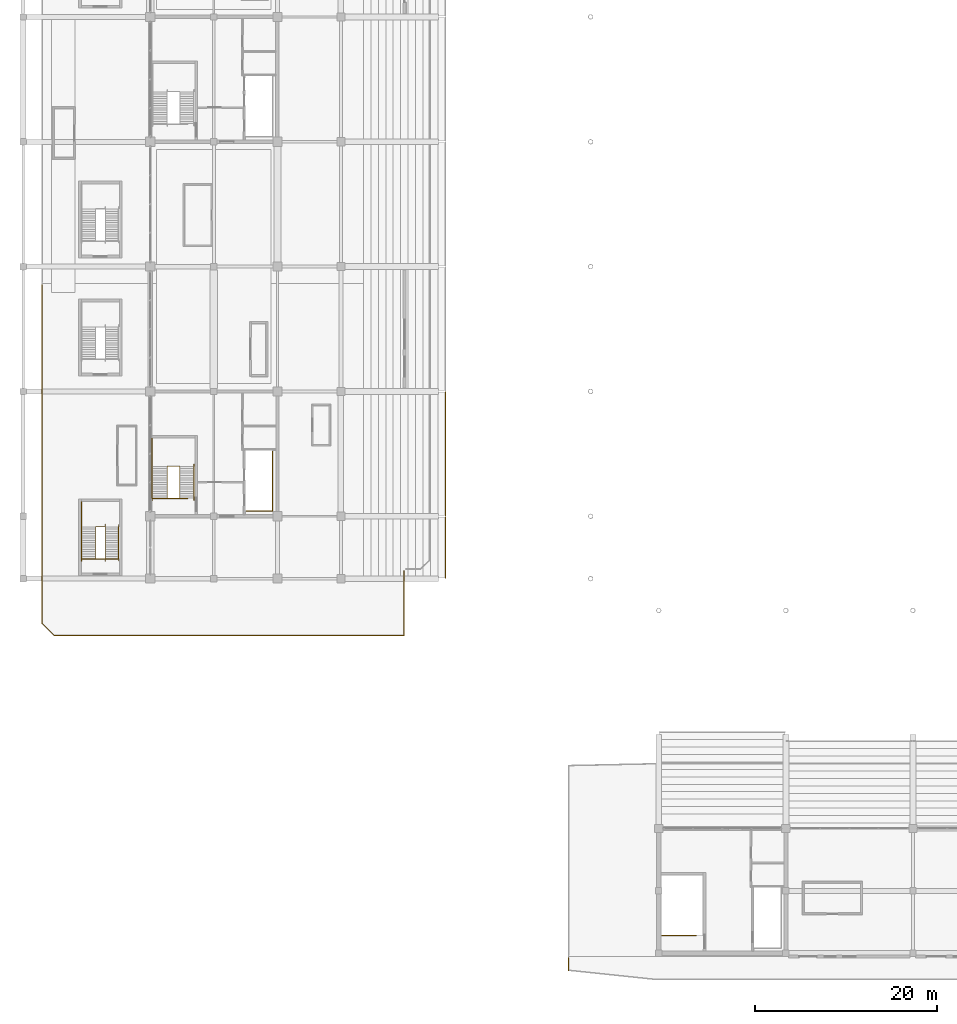
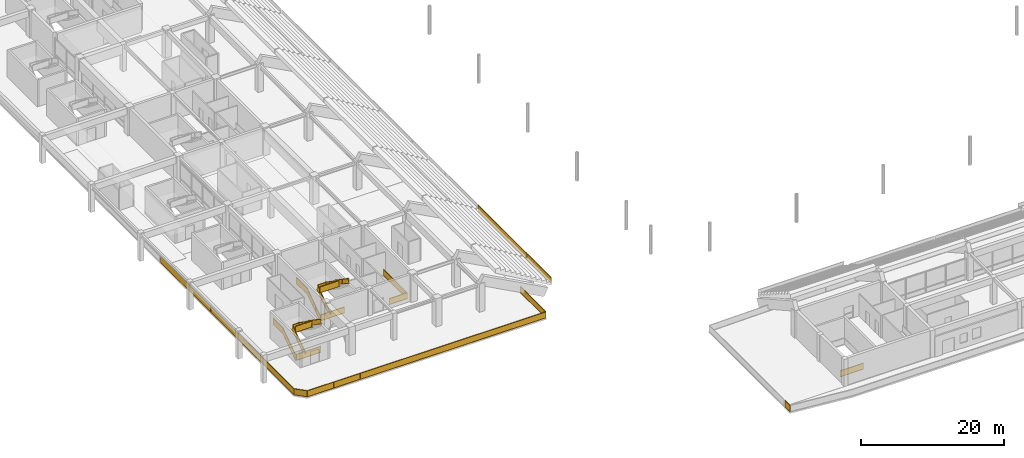
# One storey, part 81 of 94: 15 railings.
"""IFC4 building model written with IfcOpenShell, lengths in metres."""

from ifc_helpers import new_model, si_unit, direction, frame, origin, origin_2d, place, context, subcontext, project, spatial, rectangle, extrude, material, type_object, element, save


model = new_model("IFC4")

# Units and contexts
model_context = context("Model", 3, precision=1e-05, world=origin(), true_north=direction((0.0, 1.0)))
body_context = subcontext(model_context, "Body", "Model", "MODEL_VIEW")
ifc_project = project(units=[si_unit("LENGTHUNIT", "METRE"), si_unit("AREAUNIT", "SQUARE_METRE"), si_unit("VOLUMEUNIT", "CUBIC_METRE"), si_unit("PLANEANGLEUNIT", "RADIAN"), si_unit("MASSUNIT", "GRAM", prefix="KILO")], contexts=[model_context])

# Site, building, storey
site_placement = place(None, origin())
site = spatial("IfcSite", under=ifc_project, at=site_placement, CompositionType="ELEMENT")
building_placement = place(site_placement, origin())
building = spatial("IfcBuilding", under=site, at=building_placement, Name="Linyun Crest Stadium", CompositionType="ELEMENT")
storey_placement = place(building_placement, frame((0.0, 0.0, 16.199951171875)))
storey = spatial("IfcBuildingStorey", under=building, at=storey_placement, Name="L04", CompositionType="ELEMENT", Elevation=16.199951171875)

# Railings
ifc_material_1 = material(Name="Verdigris painted steel botanical balustrade", Category="steel")
railing_type_1 = type_object("IfcRailingType", Name="GR01", PredefinedType="BALUSTRADE", material=ifc_material_1)
railing_1_placement = place(storey_placement, frame((-37.93994140625, -89.14599609375, 0.0)))
element("IfcRailing", 1, at=railing_1_placement, inside=storey, type_object=railing_type_1, Name="Slab edge balustrade GR01 275", PredefinedType="BALUSTRADE", context=body_context, shape_type="SweptSolid", body=[
    extrude(rectangle(XDim=0.06005859375, YDim=0.06005859375, at=origin_2d()), frame((0.0, 0.0, 1.119873046875), z_axis=(0.0, 1.0, 0.0), x_axis=(-1.0, 0.0, 0.0)), (0.0, 0.0, 1.0), 1.365966796875),
    extrude(rectangle(XDim=0.030029296875, YDim=1.02978515625, at=origin_2d()), frame((0.0, 0.0, 0.574951171875), z_axis=(0.0, 1.0, 0.0), x_axis=(-1.0, 0.0, 0.0)), (0.0, 0.0, 1.0), 1.365966796875),
    extrude(rectangle(XDim=0.06005859375, YDim=0.06005859375, at=origin_2d()), frame((0.0, 0.0, 0.030029296875), z_axis=(0.0, 1.0, 0.0), x_axis=(-1.0, 0.0, 0.0)), (0.0, 0.0, 1.0), 1.365966796875),
    extrude(rectangle(XDim=0.050048828125, YDim=0.050048828125, at=origin_2d()), origin(), (0.0, 0.0, 1.0), 1.14990234375),
    extrude(rectangle(XDim=0.050048828125, YDim=0.050048828125, at=origin_2d()), frame((0.0, 1.365966796875, 0.0)), (0.0, 0.0, 1.0), 1.14990234375),
])
ifc_material_2 = material(Name="Galvanized and powder-coated steel bowl safety barrier", Category="steel")
railing_type_2 = type_object("IfcRailingType", Name="GR02", PredefinedType="GUARDRAIL", material=ifc_material_2)
railing_2_placement = place(storey_placement, frame((-51.5, -45.919921875, 0.35009765625)))
element("IfcRailing", 2, at=railing_2_placement, inside=storey, type_object=railing_type_2, Name="Bowl front safety guard GR02 3", PredefinedType="GUARDRAIL", context=body_context, shape_type="SweptSolid", body=[
    extrude(rectangle(XDim=0.06005859375, YDim=0.06005859375, at=origin_2d()), frame((0.0, 0.0, 1.090087890625), z_axis=(0.0, 1.0, 0.0), x_axis=(-1.0, 0.0, 0.0)), (0.0, 0.0, 1.0), 6.71484375),
    extrude(rectangle(XDim=0.030029296875, YDim=1.0, at=origin_2d()), frame((0.0, 0.0, 0.56005859375), z_axis=(0.0, 1.0, 0.0), x_axis=(-1.0, 0.0, 0.0)), (0.0, 0.0, 1.0), 6.71484375),
    extrude(rectangle(XDim=0.06005859375, YDim=0.06005859375, at=origin_2d()), frame((0.0, 0.0, 0.030029296875), z_axis=(0.0, 1.0, 0.0), x_axis=(-1.0, 0.0, 0.0)), (0.0, 0.0, 1.0), 6.71484375),
    extrude(rectangle(XDim=0.050048828125, YDim=0.050048828125, at=origin_2d()), origin(), (0.0, 0.0, 1.0), 1.1201171875),
    extrude(rectangle(XDim=0.050048828125, YDim=0.050048828125, at=origin_2d()), frame((0.0, 2.23828125, 0.0)), (0.0, 0.0, 1.0), 1.1201171875),
    extrude(rectangle(XDim=0.050048828125, YDim=0.050048828125, at=origin_2d()), frame((0.0, 4.4765625, 0.0)), (0.0, 0.0, 1.0), 1.1201171875),
    extrude(rectangle(XDim=0.050048828125, YDim=0.050048828125, at=origin_2d()), frame((0.0, 6.71484375, 0.0)), (0.0, 0.0, 1.0), 1.1201171875),
])
railing_3_placement = place(storey_placement, frame((-51.5, -39.044921875, 0.35009765625)))
element("IfcRailing", 3, at=railing_3_placement, inside=storey, type_object=railing_type_2, Name="Bowl front safety guard GR02 11", PredefinedType="GUARDRAIL", context=body_context, shape_type="SweptSolid", body=[
    extrude(rectangle(XDim=0.06005859375, YDim=0.06005859375, at=origin_2d()), frame((0.0, 0.0, 1.090087890625), z_axis=(0.0, 1.0, 0.0), x_axis=(-1.0, 0.0, 0.0)), (0.0, 0.0, 1.0), 13.58984375),
    extrude(rectangle(XDim=0.030029296875, YDim=1.0, at=origin_2d()), frame((0.0, 0.0, 0.56005859375), z_axis=(0.0, 1.0, 0.0), x_axis=(-1.0, 0.0, 0.0)), (0.0, 0.0, 1.0), 13.58984375),
    extrude(rectangle(XDim=0.06005859375, YDim=0.06005859375, at=origin_2d()), frame((0.0, 0.0, 0.030029296875), z_axis=(0.0, 1.0, 0.0), x_axis=(-1.0, 0.0, 0.0)), (0.0, 0.0, 1.0), 13.58984375),
    extrude(rectangle(XDim=0.050048828125, YDim=0.050048828125, at=origin_2d()), origin(), (0.0, 0.0, 1.0), 1.1201171875),
    extrude(rectangle(XDim=0.050048828125, YDim=0.050048828125, at=origin_2d()), frame((0.0, 2.264892578125, 0.0)), (0.0, 0.0, 1.0), 1.1201171875),
    extrude(rectangle(XDim=0.050048828125, YDim=0.050048828125, at=origin_2d()), frame((0.0, 4.530029296875, 0.0)), (0.0, 0.0, 1.0), 1.1201171875),
    extrude(rectangle(XDim=0.050048828125, YDim=0.050048828125, at=origin_2d()), frame((0.0, 6.794921875, 0.0)), (0.0, 0.0, 1.0), 1.1201171875),
    extrude(rectangle(XDim=0.050048828125, YDim=0.050048828125, at=origin_2d()), frame((0.0, 9.059814453125, 0.0)), (0.0, 0.0, 1.0), 1.1201171875),
    extrude(rectangle(XDim=0.050048828125, YDim=0.050048828125, at=origin_2d()), frame((0.0, 11.324951171875, 0.0)), (0.0, 0.0, 1.0), 1.1201171875),
    extrude(rectangle(XDim=0.050048828125, YDim=0.050048828125, at=origin_2d()), frame((0.0, 13.58984375, 0.0)), (0.0, 0.0, 1.0), 1.1201171875),
])
railing_4_placement = place(storey_placement, frame((-94.574951171875, -52.27490234375, 0.0)))
element("IfcRailing", 4, at=railing_4_placement, inside=storey, type_object=railing_type_2, Name="Slab edge balustrade GR02 52", PredefinedType="GUARDRAIL", context=body_context, shape_type="SweptSolid", body=[
    extrude(rectangle(XDim=0.06005859375, YDim=0.06005859375, at=origin_2d()), frame((0.0, 0.0, 1.090087890625), z_axis=(-0.707106781187, 0.707106781187, 0.0), x_axis=(-0.707106781187, -0.707106781187, 0.0)), (0.0, 0.0, 1.0), 1.930419921875),
    extrude(rectangle(XDim=0.030029296875, YDim=1.0, at=origin_2d()), frame((0.0, 0.0, 0.56005859375), z_axis=(-0.707106781187, 0.707106781187, 0.0), x_axis=(-0.707106781187, -0.707106781187, 0.0)), (0.0, 0.0, 1.0), 1.930419921875),
    extrude(rectangle(XDim=0.06005859375, YDim=0.06005859375, at=origin_2d()), frame((0.0, 0.0, 0.030029296875), z_axis=(-0.707106781187, 0.707106781187, 0.0), x_axis=(-0.707106781187, -0.707106781187, 0.0)), (0.0, 0.0, 1.0), 1.930419921875),
    extrude(rectangle(XDim=0.06005859375, YDim=0.06005859375, at=origin_2d()), frame((-1.364990234375, 1.364990234375, 1.090087890625), z_axis=(0.0, 1.0, 0.0), x_axis=(-1.0, 0.0, 0.0)), (0.0, 0.0, 1.0), 37.239990234375),
    extrude(rectangle(XDim=0.030029296875, YDim=1.0, at=origin_2d()), frame((-1.364990234375, 1.364990234375, 0.56005859375), z_axis=(0.0, 1.0, 0.0), x_axis=(-1.0, 0.0, 0.0)), (0.0, 0.0, 1.0), 37.239990234375),
    extrude(rectangle(XDim=0.06005859375, YDim=0.06005859375, at=origin_2d()), frame((-1.364990234375, 1.364990234375, 0.030029296875), z_axis=(0.0, 1.0, 0.0), x_axis=(-1.0, 0.0, 0.0)), (0.0, 0.0, 1.0), 37.239990234375),
    extrude(rectangle(XDim=0.050048828125, YDim=0.050048828125, at=origin_2d()), origin(), (0.0, 0.0, 1.0), 1.1201171875),
    extrude(rectangle(XDim=0.050048828125, YDim=0.050048828125, at=origin_2d()), frame((-1.364990234375, 1.364990234375, 0.0)), (0.0, 0.0, 1.0), 1.1201171875),
    extrude(rectangle(XDim=0.050048828125, YDim=0.050048828125, at=origin_2d()), frame((-1.364990234375, 6.02001953125, 0.0)), (0.0, 0.0, 1.0), 1.1201171875),
    extrude(rectangle(XDim=0.050048828125, YDim=0.050048828125, at=origin_2d()), frame((-1.364990234375, 10.675048828125, 0.0)), (0.0, 0.0, 1.0), 1.1201171875),
    extrude(rectangle(XDim=0.050048828125, YDim=0.050048828125, at=origin_2d()), frame((-1.364990234375, 15.330078125, 0.0)), (0.0, 0.0, 1.0), 1.1201171875),
    extrude(rectangle(XDim=0.050048828125, YDim=0.050048828125, at=origin_2d()), frame((-1.364990234375, 19.98486328125, 0.0)), (0.0, 0.0, 1.0), 1.1201171875),
    extrude(rectangle(XDim=0.050048828125, YDim=0.050048828125, at=origin_2d()), frame((-1.364990234375, 24.639892578125, 0.0)), (0.0, 0.0, 1.0), 1.1201171875),
    extrude(rectangle(XDim=0.050048828125, YDim=0.050048828125, at=origin_2d()), frame((-1.364990234375, 29.294921875, 0.0)), (0.0, 0.0, 1.0), 1.1201171875),
    extrude(rectangle(XDim=0.050048828125, YDim=0.050048828125, at=origin_2d()), frame((-1.364990234375, 33.949951171875, 0.0)), (0.0, 0.0, 1.0), 1.1201171875),
    extrude(rectangle(XDim=0.050048828125, YDim=0.050048828125, at=origin_2d()), frame((-1.364990234375, 38.60498046875, 0.0)), (0.0, 0.0, 1.0), 1.1201171875),
])
railing_5_placement = place(storey_placement, frame((-56.06005859375, -45.160888671875, 0.0)))
element("IfcRailing", 5, at=railing_5_placement, inside=storey, type_object=railing_type_2, Name="Slab edge balustrade GR02 53", PredefinedType="GUARDRAIL", context=body_context, shape_type="SweptSolid", body=[
    extrude(rectangle(XDim=0.06005859375, YDim=0.06005859375, at=origin_2d()), frame((0.0, 0.0, 1.090087890625), z_axis=(0.0, -1.0, 0.0), x_axis=(1.0, 0.0, 0.0)), (0.0, 0.0, 1.0), 7.114013671875),
    extrude(rectangle(XDim=0.030029296875, YDim=1.0, at=origin_2d()), frame((0.0, 0.0, 0.56005859375), z_axis=(0.0, -1.0, 0.0), x_axis=(1.0, 0.0, 0.0)), (0.0, 0.0, 1.0), 7.114013671875),
    extrude(rectangle(XDim=0.06005859375, YDim=0.06005859375, at=origin_2d()), frame((0.0, 0.0, 0.030029296875), z_axis=(0.0, -1.0, 0.0), x_axis=(1.0, 0.0, 0.0)), (0.0, 0.0, 1.0), 7.114013671875),
    extrude(rectangle(XDim=0.06005859375, YDim=0.06005859375, at=origin_2d()), frame((0.0, -7.114013671875, 1.090087890625), z_axis=(-1.0, 0.0, 0.0), x_axis=(0.0, -1.0, 0.0)), (0.0, 0.0, 1.0), 38.514892578125),
    extrude(rectangle(XDim=0.030029296875, YDim=1.0, at=origin_2d()), frame((0.0, -7.114013671875, 0.56005859375), z_axis=(-1.0, 0.0, 0.0), x_axis=(0.0, -1.0, 0.0)), (0.0, 0.0, 1.0), 38.514892578125),
    extrude(rectangle(XDim=0.06005859375, YDim=0.06005859375, at=origin_2d()), frame((0.0, -7.114013671875, 0.030029296875), z_axis=(-1.0, 0.0, 0.0), x_axis=(0.0, -1.0, 0.0)), (0.0, 0.0, 1.0), 38.514892578125),
    extrude(rectangle(XDim=0.050048828125, YDim=0.050048828125, at=origin_2d()), origin(), (0.0, 0.0, 1.0), 1.1201171875),
    extrude(rectangle(XDim=0.050048828125, YDim=0.050048828125, at=origin_2d()), frame((0.0, -3.55712890625, 0.0)), (0.0, 0.0, 1.0), 1.1201171875),
    extrude(rectangle(XDim=0.050048828125, YDim=0.050048828125, at=origin_2d()), frame((0.0, -7.114013671875, 0.0)), (0.0, 0.0, 1.0), 1.1201171875),
    extrude(rectangle(XDim=0.050048828125, YDim=0.050048828125, at=origin_2d()), frame((-4.279541015625, -7.114013671875, 0.0)), (0.0, 0.0, 1.0), 1.1201171875),
    extrude(rectangle(XDim=0.050048828125, YDim=0.050048828125, at=origin_2d()), frame((-8.558837890625, -7.114013671875, 0.0)), (0.0, 0.0, 1.0), 1.1201171875),
    extrude(rectangle(XDim=0.050048828125, YDim=0.050048828125, at=origin_2d()), frame((-12.83837890625, -7.114013671875, 0.0)), (0.0, 0.0, 1.0), 1.1201171875),
    extrude(rectangle(XDim=0.050048828125, YDim=0.050048828125, at=origin_2d()), frame((-17.11767578125, -7.114013671875, 0.0)), (0.0, 0.0, 1.0), 1.1201171875),
    extrude(rectangle(XDim=0.050048828125, YDim=0.050048828125, at=origin_2d()), frame((-21.397216796875, -7.114013671875, 0.0)), (0.0, 0.0, 1.0), 1.1201171875),
    extrude(rectangle(XDim=0.050048828125, YDim=0.050048828125, at=origin_2d()), frame((-25.676513671875, -7.114013671875, 0.0)), (0.0, 0.0, 1.0), 1.1201171875),
    extrude(rectangle(XDim=0.050048828125, YDim=0.050048828125, at=origin_2d()), frame((-29.9560546875, -7.114013671875, 0.0)), (0.0, 0.0, 1.0), 1.1201171875),
    extrude(rectangle(XDim=0.050048828125, YDim=0.050048828125, at=origin_2d()), frame((-34.2353515625, -7.114013671875, 0.0)), (0.0, 0.0, 1.0), 1.1201171875),
    extrude(rectangle(XDim=0.050048828125, YDim=0.050048828125, at=origin_2d()), frame((-38.514892578125, -7.114013671875, 0.0)), (0.0, 0.0, 1.0), 1.1201171875),
])
railing_6_placement = place(storey_placement, frame((-73.419921875, -38.534912109375, 0.0)))
element("IfcRailing", 6, at=railing_6_placement, inside=storey, type_object=railing_type_2, Name="Slab edge balustrade GR02 54", PredefinedType="GUARDRAIL", context=body_context, shape_type="SweptSolid", body=[
    extrude(rectangle(XDim=0.06005859375, YDim=0.06005859375, at=origin_2d()), frame((0.0, 0.0, 1.090087890625), z_axis=(1.0, 0.0, 0.0), x_axis=(0.0, 1.0, 0.0)), (0.0, 0.0, 1.0), 2.8798828125),
    extrude(rectangle(XDim=0.030029296875, YDim=1.0, at=origin_2d()), frame((0.0, 0.0, 0.56005859375), z_axis=(1.0, 0.0, 0.0), x_axis=(0.0, 1.0, 0.0)), (0.0, 0.0, 1.0), 2.8798828125),
    extrude(rectangle(XDim=0.06005859375, YDim=0.06005859375, at=origin_2d()), frame((0.0, 0.0, 0.030029296875), z_axis=(1.0, 0.0, 0.0), x_axis=(0.0, 1.0, 0.0)), (0.0, 0.0, 1.0), 2.8798828125),
    extrude(rectangle(XDim=0.06005859375, YDim=0.06005859375, at=origin_2d()), frame((2.8798828125, 0.0, 1.090087890625), z_axis=(0.0, 1.0, 0.0), x_axis=(-1.0, 0.0, 0.0)), (0.0, 0.0, 1.0), 6.5498046875),
    extrude(rectangle(XDim=0.030029296875, YDim=1.0, at=origin_2d()), frame((2.8798828125, 0.0, 0.56005859375), z_axis=(0.0, 1.0, 0.0), x_axis=(-1.0, 0.0, 0.0)), (0.0, 0.0, 1.0), 6.5498046875),
    extrude(rectangle(XDim=0.06005859375, YDim=0.06005859375, at=origin_2d()), frame((2.8798828125, 0.0, 0.030029296875), z_axis=(0.0, 1.0, 0.0), x_axis=(-1.0, 0.0, 0.0)), (0.0, 0.0, 1.0), 6.5498046875),
    extrude(rectangle(XDim=0.050048828125, YDim=0.050048828125, at=origin_2d()), origin(), (0.0, 0.0, 1.0), 1.1201171875),
    extrude(rectangle(XDim=0.050048828125, YDim=0.050048828125, at=origin_2d()), frame((2.8798828125, 0.0, 0.0)), (0.0, 0.0, 1.0), 1.1201171875),
    extrude(rectangle(XDim=0.050048828125, YDim=0.050048828125, at=origin_2d()), frame((2.8798828125, 3.27490234375, 0.0)), (0.0, 0.0, 1.0), 1.1201171875),
    extrude(rectangle(XDim=0.050048828125, YDim=0.050048828125, at=origin_2d()), frame((2.8798828125, 6.5498046875, 0.0)), (0.0, 0.0, 1.0), 1.1201171875),
])
railing_7_placement = place(storey_placement, frame((-83.68505859375, -37.1650390625, 0.0)))
element("IfcRailing", 7, at=railing_7_placement, inside=storey, type_object=railing_type_2, Name="Slab edge balustrade GR02 55", PredefinedType="GUARDRAIL", context=body_context, shape_type="SweptSolid", body=[
    extrude(rectangle(XDim=0.06005859375, YDim=0.06005859375, at=origin_2d()), frame((0.0, 0.0, 1.090087890625), z_axis=(1.0, 0.0, 0.0), x_axis=(0.0, 1.0, 0.0)), (0.0, 0.0, 1.0), 3.78515625),
    extrude(rectangle(XDim=0.030029296875, YDim=1.0, at=origin_2d()), frame((0.0, 0.0, 0.56005859375), z_axis=(1.0, 0.0, 0.0), x_axis=(0.0, 1.0, 0.0)), (0.0, 0.0, 1.0), 3.78515625),
    extrude(rectangle(XDim=0.06005859375, YDim=0.06005859375, at=origin_2d()), frame((0.0, 0.0, 0.030029296875), z_axis=(1.0, 0.0, 0.0), x_axis=(0.0, 1.0, 0.0)), (0.0, 0.0, 1.0), 3.78515625),
    extrude(rectangle(XDim=0.050048828125, YDim=0.050048828125, at=origin_2d()), origin(), (0.0, 0.0, 1.0), 1.1201171875),
    extrude(rectangle(XDim=0.050048828125, YDim=0.050048828125, at=origin_2d()), frame((3.78515625, 0.0, 0.0)), (0.0, 0.0, 1.0), 1.1201171875),
])
railing_8_placement = place(storey_placement, frame((-91.4599609375, -43.81005859375, 0.0)))
element("IfcRailing", 8, at=railing_8_placement, inside=storey, type_object=railing_type_2, Name="Slab edge balustrade GR02 56", PredefinedType="GUARDRAIL", context=body_context, shape_type="SweptSolid", body=[
    extrude(rectangle(XDim=0.06005859375, YDim=0.06005859375, at=origin_2d()), frame((0.0, 0.0, 1.090087890625), z_axis=(1.0, 0.0, 0.0), x_axis=(0.0, 1.0, 0.0)), (0.0, 0.0, 1.0), 3.919921875),
    extrude(rectangle(XDim=0.030029296875, YDim=1.0, at=origin_2d()), frame((0.0, 0.0, 0.56005859375), z_axis=(1.0, 0.0, 0.0), x_axis=(0.0, 1.0, 0.0)), (0.0, 0.0, 1.0), 3.919921875),
    extrude(rectangle(XDim=0.06005859375, YDim=0.06005859375, at=origin_2d()), frame((0.0, 0.0, 0.030029296875), z_axis=(1.0, 0.0, 0.0), x_axis=(0.0, 1.0, 0.0)), (0.0, 0.0, 1.0), 3.919921875),
    extrude(rectangle(XDim=0.050048828125, YDim=0.050048828125, at=origin_2d()), origin(), (0.0, 0.0, 1.0), 1.1201171875),
    extrude(rectangle(XDim=0.050048828125, YDim=0.050048828125, at=origin_2d()), frame((3.919921875, 0.0, 0.0)), (0.0, 0.0, 1.0), 1.1201171875),
])
railing_9_placement = place(storey_placement, frame((-27.635009765625, -85.2900390625, 0.0)))
element("IfcRailing", 9, at=railing_9_placement, inside=storey, type_object=railing_type_2, Name="Slab edge balustrade GR02 272", PredefinedType="GUARDRAIL", context=body_context, shape_type="SweptSolid", body=[
    extrude(rectangle(XDim=0.06005859375, YDim=0.06005859375, at=origin_2d()), frame((0.0, 0.0, 1.090087890625), z_axis=(1.0, 0.0, 0.0), x_axis=(0.0, 1.0, 0.0)), (0.0, 0.0, 1.0), 3.735107421875),
    extrude(rectangle(XDim=0.030029296875, YDim=1.0, at=origin_2d()), frame((0.0, 0.0, 0.56005859375), z_axis=(1.0, 0.0, 0.0), x_axis=(0.0, 1.0, 0.0)), (0.0, 0.0, 1.0), 3.735107421875),
    extrude(rectangle(XDim=0.06005859375, YDim=0.06005859375, at=origin_2d()), frame((0.0, 0.0, 0.030029296875), z_axis=(1.0, 0.0, 0.0), x_axis=(0.0, 1.0, 0.0)), (0.0, 0.0, 1.0), 3.735107421875),
    extrude(rectangle(XDim=0.050048828125, YDim=0.050048828125, at=origin_2d()), origin(), (0.0, 0.0, 1.0), 1.1201171875),
    extrude(rectangle(XDim=0.050048828125, YDim=0.050048828125, at=origin_2d()), frame((3.735107421875, 0.0, 0.0)), (0.0, 0.0, 1.0), 1.1201171875),
])
ifc_material_3 = material(Name="Painted steel stairwell safety guard", Category="steel")
railing_type_3 = type_object("IfcRailingType", Name="GR03", PredefinedType="GUARDRAIL", material=ifc_material_3)
railing_10_placement = place(storey_placement, frame((-83.794921875, -37.135009765625, 0.0)))
element("IfcRailing", 10, at=railing_10_placement, inside=storey, type_object=railing_type_3, Name="STR-01-L04 outer guard", PredefinedType="GUARDRAIL", context=body_context, shape_type="SweptSolid", body=[
    extrude(rectangle(XDim=0.06005859375, YDim=0.06005859375, at=origin_2d()), frame((0.0, 0.0, 1.090087890625), z_axis=(0.0, 0.824712752785, 0.565551832633), x_axis=(-1.0, 0.0, 0.0)), (0.0, 0.0, 1.0), 4.243896484375),
    extrude(rectangle(XDim=0.030029296875, YDim=1.0, at=origin_2d()), frame((0.0, 0.0, 0.56005859375), z_axis=(0.0, 0.824712752785, 0.565551832633), x_axis=(-1.0, 0.0, 0.0)), (0.0, 0.0, 1.0), 4.243896484375),
    extrude(rectangle(XDim=0.06005859375, YDim=0.06005859375, at=origin_2d()), frame((0.0, 0.0, 0.030029296875), z_axis=(0.0, 0.824712752785, 0.565551832633), x_axis=(-1.0, 0.0, 0.0)), (0.0, 0.0, 1.0), 4.243896484375),
    extrude(rectangle(XDim=0.06005859375, YDim=0.06005859375, at=origin_2d()), frame((0.0, 3.5, 3.490234375), z_axis=(0.0, 1.0, 0.0), x_axis=(-1.0, 0.0, 0.0)), (0.0, 0.0, 1.0), 3.080078125),
    extrude(rectangle(XDim=0.030029296875, YDim=1.0, at=origin_2d()), frame((0.0, 3.5, 2.960205078125), z_axis=(0.0, 1.0, 0.0), x_axis=(-1.0, 0.0, 0.0)), (0.0, 0.0, 1.0), 3.080078125),
    extrude(rectangle(XDim=0.06005859375, YDim=0.06005859375, at=origin_2d()), frame((0.0, 3.5, 2.43017578125), z_axis=(0.0, 1.0, 0.0), x_axis=(-1.0, 0.0, 0.0)), (0.0, 0.0, 1.0), 3.080078125),
    extrude(rectangle(XDim=0.050048828125, YDim=0.050048828125, at=origin_2d()), origin(), (0.0, 0.0, 1.0), 1.1201171875),
    extrude(rectangle(XDim=0.050048828125, YDim=0.050048828125, at=origin_2d()), frame((0.0, 1.166748046875, 0.800048828125)), (0.0, 0.0, 1.0), 1.1201171875),
    extrude(rectangle(XDim=0.050048828125, YDim=0.050048828125, at=origin_2d()), frame((0.0, 2.333251953125, 1.60009765625)), (0.0, 0.0, 1.0), 1.1201171875),
    extrude(rectangle(XDim=0.050048828125, YDim=0.050048828125, at=origin_2d()), frame((0.0, 3.5, 2.400146484375)), (0.0, 0.0, 1.0), 1.1201171875),
    extrude(rectangle(XDim=0.050048828125, YDim=0.050048828125, at=origin_2d()), frame((0.0, 5.0400390625, 2.400146484375)), (0.0, 0.0, 1.0), 1.1201171875),
    extrude(rectangle(XDim=0.050048828125, YDim=0.050048828125, at=origin_2d()), frame((0.0, 6.580078125, 2.400146484375)), (0.0, 0.0, 1.0), 1.1201171875),
])
railing_11_placement = place(storey_placement, frame((-82.155029296875, -37.155029296875, 0.0)))
element("IfcRailing", 11, at=railing_11_placement, inside=storey, type_object=railing_type_3, Name="STR-01-L04 inner well guard", PredefinedType="GUARDRAIL", context=body_context, shape_type="SweptSolid", body=[
    extrude(rectangle(XDim=0.06005859375, YDim=0.06005859375, at=origin_2d()), frame((0.0, 0.0, 1.090087890625), z_axis=(0.0, 0.826212794201, 0.563358162005), x_axis=(-1.0, 0.0, 0.0)), (0.0, 0.0, 1.0), 4.260498046875),
    extrude(rectangle(XDim=0.030029296875, YDim=1.0, at=origin_2d()), frame((0.0, 0.0, 0.56005859375), z_axis=(0.0, 0.826212794201, 0.563358162005), x_axis=(-1.0, 0.0, 0.0)), (0.0, 0.0, 1.0), 4.260498046875),
    extrude(rectangle(XDim=0.06005859375, YDim=0.06005859375, at=origin_2d()), frame((0.0, 0.0, 0.030029296875), z_axis=(0.0, 0.826212794201, 0.563358162005), x_axis=(-1.0, 0.0, 0.0)), (0.0, 0.0, 1.0), 4.260498046875),
    extrude(rectangle(XDim=0.06005859375, YDim=0.06005859375, at=origin_2d()), frame((0.0, 3.52001953125, 3.490234375), z_axis=(1.0, 0.0, 0.0), x_axis=(0.0, 1.0, 0.0)), (0.0, 0.0, 1.0), 1.385009765625),
    extrude(rectangle(XDim=0.030029296875, YDim=1.0, at=origin_2d()), frame((0.0, 3.52001953125, 2.960205078125), z_axis=(1.0, 0.0, 0.0), x_axis=(0.0, 1.0, 0.0)), (0.0, 0.0, 1.0), 1.385009765625),
    extrude(rectangle(XDim=0.06005859375, YDim=0.06005859375, at=origin_2d()), frame((0.0, 3.52001953125, 2.43017578125), z_axis=(1.0, 0.0, 0.0), x_axis=(0.0, 1.0, 0.0)), (0.0, 0.0, 1.0), 1.385009765625),
    extrude(rectangle(XDim=0.06005859375, YDim=0.06005859375, at=origin_2d()), frame((1.385009765625, 3.52001953125, 3.490234375), z_axis=(0.0, -0.826239466617, 0.563319042644), x_axis=(1.0, 0.0, 0.0)), (0.0, 0.0, 1.0), 4.26025390625),
    extrude(rectangle(XDim=0.030029296875, YDim=1.0, at=origin_2d()), frame((1.385009765625, 3.52001953125, 2.960205078125), z_axis=(0.0, -0.826239466617, 0.563319042644), x_axis=(1.0, 0.0, 0.0)), (0.0, 0.0, 1.0), 4.26025390625),
    extrude(rectangle(XDim=0.06005859375, YDim=0.06005859375, at=origin_2d()), frame((1.385009765625, 3.52001953125, 2.43017578125), z_axis=(0.0, -0.826239466617, 0.563319042644), x_axis=(1.0, 0.0, 0.0)), (0.0, 0.0, 1.0), 4.26025390625),
    extrude(rectangle(XDim=0.06005859375, YDim=0.06005859375, at=origin_2d()), frame((1.385009765625, 0.0, 5.89013671875), z_axis=(-1.0, 0.0, 0.0), x_axis=(0.0, -1.0, 0.0)), (0.0, 0.0, 1.0), 3.034912109375),
    extrude(rectangle(XDim=0.030029296875, YDim=1.0, at=origin_2d()), frame((1.385009765625, 0.0, 5.360107421875), z_axis=(-1.0, 0.0, 0.0), x_axis=(0.0, -1.0, 0.0)), (0.0, 0.0, 1.0), 3.034912109375),
    extrude(rectangle(XDim=0.06005859375, YDim=0.06005859375, at=origin_2d()), frame((1.385009765625, 0.0, 4.830078125), z_axis=(-1.0, 0.0, 0.0), x_axis=(0.0, -1.0, 0.0)), (0.0, 0.0, 1.0), 3.034912109375),
    extrude(rectangle(XDim=0.050048828125, YDim=0.050048828125, at=origin_2d()), origin(), (0.0, 0.0, 1.0), 1.1201171875),
    extrude(rectangle(XDim=0.050048828125, YDim=0.050048828125, at=origin_2d()), frame((0.0, 1.17333984375, 0.800048828125)), (0.0, 0.0, 1.0), 1.1201171875),
    extrude(rectangle(XDim=0.050048828125, YDim=0.050048828125, at=origin_2d()), frame((0.0, 2.3466796875, 1.60009765625)), (0.0, 0.0, 1.0), 1.1201171875),
    extrude(rectangle(XDim=0.050048828125, YDim=0.050048828125, at=origin_2d()), frame((0.0, 3.52001953125, 2.400146484375)), (0.0, 0.0, 1.0), 1.1201171875),
    extrude(rectangle(XDim=0.050048828125, YDim=0.050048828125, at=origin_2d()), frame((1.385009765625, 3.52001953125, 2.400146484375)), (0.0, 0.0, 1.0), 1.1201171875),
    extrude(rectangle(XDim=0.050048828125, YDim=0.050048828125, at=origin_2d()), frame((1.385009765625, 2.3466796875, 3.2001953125)), (0.0, 0.0, 1.0), 1.1201171875),
    extrude(rectangle(XDim=0.050048828125, YDim=0.050048828125, at=origin_2d()), frame((1.385009765625, 1.17333984375, 4.0)), (0.0, 0.0, 1.0), 1.1201171875),
    extrude(rectangle(XDim=0.050048828125, YDim=0.050048828125, at=origin_2d()), frame((1.385009765625, 0.0, 4.800048828125)), (0.0, 0.0, 1.0), 1.1201171875),
    extrude(rectangle(XDim=0.050048828125, YDim=0.050048828125, at=origin_2d()), frame((-0.13232421875, 0.0, 4.800048828125)), (0.0, 0.0, 1.0), 1.1201171875),
    extrude(rectangle(XDim=0.050048828125, YDim=0.050048828125, at=origin_2d()), frame((-1.64990234375, 0.0, 4.800048828125)), (0.0, 0.0, 1.0), 1.1201171875),
])
railing_12_placement = place(storey_placement, frame((-91.570068359375, -43.780029296875, 0.0)))
element("IfcRailing", 12, at=railing_12_placement, inside=storey, type_object=railing_type_3, Name="STR-13-L04 outer guard", PredefinedType="GUARDRAIL", context=body_context, shape_type="SweptSolid", body=[
    extrude(rectangle(XDim=0.06005859375, YDim=0.06005859375, at=origin_2d()), frame((0.0, 0.0, 1.090087890625), z_axis=(0.0, 0.824712752785, 0.565551832633), x_axis=(-1.0, 0.0, 0.0)), (0.0, 0.0, 1.0), 4.243896484375),
    extrude(rectangle(XDim=0.030029296875, YDim=1.0, at=origin_2d()), frame((0.0, 0.0, 0.56005859375), z_axis=(0.0, 0.824712752785, 0.565551832633), x_axis=(-1.0, 0.0, 0.0)), (0.0, 0.0, 1.0), 4.243896484375),
    extrude(rectangle(XDim=0.06005859375, YDim=0.06005859375, at=origin_2d()), frame((0.0, 0.0, 0.030029296875), z_axis=(0.0, 0.824712752785, 0.565551832633), x_axis=(-1.0, 0.0, 0.0)), (0.0, 0.0, 1.0), 4.243896484375),
    extrude(rectangle(XDim=0.06005859375, YDim=0.06005859375, at=origin_2d()), frame((0.0, 3.5, 3.490234375), z_axis=(0.0, 1.0, 0.0), x_axis=(-1.0, 0.0, 0.0)), (0.0, 0.0, 1.0), 2.75),
    extrude(rectangle(XDim=0.030029296875, YDim=1.0, at=origin_2d()), frame((0.0, 3.5, 2.960205078125), z_axis=(0.0, 1.0, 0.0), x_axis=(-1.0, 0.0, 0.0)), (0.0, 0.0, 1.0), 2.75),
    extrude(rectangle(XDim=0.06005859375, YDim=0.06005859375, at=origin_2d()), frame((0.0, 3.5, 2.43017578125), z_axis=(0.0, 1.0, 0.0), x_axis=(-1.0, 0.0, 0.0)), (0.0, 0.0, 1.0), 2.75),
    extrude(rectangle(XDim=0.050048828125, YDim=0.050048828125, at=origin_2d()), origin(), (0.0, 0.0, 1.0), 1.1201171875),
    extrude(rectangle(XDim=0.050048828125, YDim=0.050048828125, at=origin_2d()), frame((0.0, 1.166748046875, 0.800048828125)), (0.0, 0.0, 1.0), 1.1201171875),
    extrude(rectangle(XDim=0.050048828125, YDim=0.050048828125, at=origin_2d()), frame((0.0, 2.333251953125, 1.60009765625)), (0.0, 0.0, 1.0), 1.1201171875),
    extrude(rectangle(XDim=0.050048828125, YDim=0.050048828125, at=origin_2d()), frame((0.0, 3.5, 2.400146484375)), (0.0, 0.0, 1.0), 1.1201171875),
    extrude(rectangle(XDim=0.050048828125, YDim=0.050048828125, at=origin_2d()), frame((0.0, 4.875, 2.400146484375)), (0.0, 0.0, 1.0), 1.1201171875),
    extrude(rectangle(XDim=0.050048828125, YDim=0.050048828125, at=origin_2d()), frame((0.0, 6.25, 2.400146484375)), (0.0, 0.0, 1.0), 1.1201171875),
])
railing_13_placement = place(storey_placement, frame((-90.030029296875, -43.800048828125, 0.0)))
element("IfcRailing", 13, at=railing_13_placement, inside=storey, type_object=railing_type_3, Name="STR-13-L04 inner well guard", PredefinedType="GUARDRAIL", context=body_context, shape_type="SweptSolid", body=[
    extrude(rectangle(XDim=0.06005859375, YDim=0.06005859375, at=origin_2d()), frame((0.0, 0.0, 1.090087890625), z_axis=(0.0, 0.826212794201, 0.563358162005), x_axis=(-1.0, 0.0, 0.0)), (0.0, 0.0, 1.0), 4.260498046875),
    extrude(rectangle(XDim=0.030029296875, YDim=1.0, at=origin_2d()), frame((0.0, 0.0, 0.56005859375), z_axis=(0.0, 0.826212794201, 0.563358162005), x_axis=(-1.0, 0.0, 0.0)), (0.0, 0.0, 1.0), 4.260498046875),
    extrude(rectangle(XDim=0.06005859375, YDim=0.06005859375, at=origin_2d()), frame((0.0, 0.0, 0.030029296875), z_axis=(0.0, 0.826212794201, 0.563358162005), x_axis=(-1.0, 0.0, 0.0)), (0.0, 0.0, 1.0), 4.260498046875),
    extrude(rectangle(XDim=0.06005859375, YDim=0.06005859375, at=origin_2d()), frame((0.0, 3.52001953125, 3.490234375), z_axis=(1.0, 0.0, 0.0), x_axis=(0.0, 1.0, 0.0)), (0.0, 0.0, 1.0), 1.06005859375),
    extrude(rectangle(XDim=0.030029296875, YDim=1.0, at=origin_2d()), frame((0.0, 3.52001953125, 2.960205078125), z_axis=(1.0, 0.0, 0.0), x_axis=(0.0, 1.0, 0.0)), (0.0, 0.0, 1.0), 1.06005859375),
    extrude(rectangle(XDim=0.06005859375, YDim=0.06005859375, at=origin_2d()), frame((0.0, 3.52001953125, 2.43017578125), z_axis=(1.0, 0.0, 0.0), x_axis=(0.0, 1.0, 0.0)), (0.0, 0.0, 1.0), 1.06005859375),
    extrude(rectangle(XDim=0.06005859375, YDim=0.06005859375, at=origin_2d()), frame((1.06005859375, 3.52001953125, 3.490234375), z_axis=(0.0, -0.826239466617, 0.563319042644), x_axis=(1.0, 0.0, 0.0)), (0.0, 0.0, 1.0), 4.26025390625),
    extrude(rectangle(XDim=0.030029296875, YDim=1.0, at=origin_2d()), frame((1.06005859375, 3.52001953125, 2.960205078125), z_axis=(0.0, -0.826239466617, 0.563319042644), x_axis=(1.0, 0.0, 0.0)), (0.0, 0.0, 1.0), 4.26025390625),
    extrude(rectangle(XDim=0.06005859375, YDim=0.06005859375, at=origin_2d()), frame((1.06005859375, 3.52001953125, 2.43017578125), z_axis=(0.0, -0.826239466617, 0.563319042644), x_axis=(1.0, 0.0, 0.0)), (0.0, 0.0, 1.0), 4.26025390625),
    extrude(rectangle(XDim=0.06005859375, YDim=0.06005859375, at=origin_2d()), frame((1.06005859375, 0.0, 5.89013671875), z_axis=(-1.0, 0.0, 0.0), x_axis=(0.0, -1.0, 0.0)), (0.0, 0.0, 1.0), 2.610107421875),
    extrude(rectangle(XDim=0.030029296875, YDim=1.0, at=origin_2d()), frame((1.06005859375, 0.0, 5.360107421875), z_axis=(-1.0, 0.0, 0.0), x_axis=(0.0, -1.0, 0.0)), (0.0, 0.0, 1.0), 2.610107421875),
    extrude(rectangle(XDim=0.06005859375, YDim=0.06005859375, at=origin_2d()), frame((1.06005859375, 0.0, 4.830078125), z_axis=(-1.0, 0.0, 0.0), x_axis=(0.0, -1.0, 0.0)), (0.0, 0.0, 1.0), 2.610107421875),
    extrude(rectangle(XDim=0.050048828125, YDim=0.050048828125, at=origin_2d()), origin(), (0.0, 0.0, 1.0), 1.1201171875),
    extrude(rectangle(XDim=0.050048828125, YDim=0.050048828125, at=origin_2d()), frame((0.0, 1.17333984375, 0.800048828125)), (0.0, 0.0, 1.0), 1.1201171875),
    extrude(rectangle(XDim=0.050048828125, YDim=0.050048828125, at=origin_2d()), frame((0.0, 2.3466796875, 1.60009765625)), (0.0, 0.0, 1.0), 1.1201171875),
    extrude(rectangle(XDim=0.050048828125, YDim=0.050048828125, at=origin_2d()), frame((0.0, 3.52001953125, 2.400146484375)), (0.0, 0.0, 1.0), 1.1201171875),
    extrude(rectangle(XDim=0.050048828125, YDim=0.050048828125, at=origin_2d()), frame((1.06005859375, 3.52001953125, 2.400146484375)), (0.0, 0.0, 1.0), 1.1201171875),
    extrude(rectangle(XDim=0.050048828125, YDim=0.050048828125, at=origin_2d()), frame((1.06005859375, 2.3466796875, 3.2001953125)), (0.0, 0.0, 1.0), 1.1201171875),
    extrude(rectangle(XDim=0.050048828125, YDim=0.050048828125, at=origin_2d()), frame((1.06005859375, 1.17333984375, 4.0)), (0.0, 0.0, 1.0), 1.1201171875),
    extrude(rectangle(XDim=0.050048828125, YDim=0.050048828125, at=origin_2d()), frame((1.06005859375, 0.0, 4.800048828125)), (0.0, 0.0, 1.0), 1.1201171875),
    extrude(rectangle(XDim=0.050048828125, YDim=0.050048828125, at=origin_2d()), frame((-0.2451171875, 0.0, 4.800048828125)), (0.0, 0.0, 1.0), 1.1201171875),
    extrude(rectangle(XDim=0.050048828125, YDim=0.050048828125, at=origin_2d()), frame((-1.550048828125, 0.0, 4.800048828125)), (0.0, 0.0, 1.0), 1.1201171875),
])
ifc_material_4 = material(Name="Brushed stainless steel tubular handrail", Category="steel")
railing_type_4 = type_object("IfcRailingType", Name="HR01", PredefinedType="HANDRAIL", material=ifc_material_4)
for number, where, name in (
    (14, (-79.179931640625, -33.635009765625, 2.400146484375), "STR-01-L04 handrail"),
    (15, (-87.47998046875, -40.280029296875, 2.400146484375), "STR-13-L04 handrail"),
):
    element("IfcRailing", number, at=place(storey_placement, frame(where)), inside=storey, type_object=railing_type_4, Name=name, PredefinedType="HANDRAIL", context=body_context, shape_type="SweptSolid", body=[
        extrude(rectangle(XDim=0.06005859375, YDim=0.06005859375, at=origin_2d()), frame((0.0, 0.0, 0.889892578125), z_axis=(0.0, -0.824739584531, 0.5655127034), x_axis=(1.0, 0.0, 0.0)), (0.0, 0.0, 1.0), 4.24365234375),
        extrude(rectangle(XDim=0.030029296875, YDim=0.7998046875, at=origin_2d()), frame((0.0, 0.0, 0.4599609375), z_axis=(0.0, -0.824739584531, 0.5655127034), x_axis=(1.0, 0.0, 0.0)), (0.0, 0.0, 1.0), 4.24365234375),
        extrude(rectangle(XDim=0.06005859375, YDim=0.06005859375, at=origin_2d()), frame((0.0, 0.0, 0.030029296875), z_axis=(0.0, -0.824739584531, 0.5655127034), x_axis=(1.0, 0.0, 0.0)), (0.0, 0.0, 1.0), 4.24365234375),
        extrude(rectangle(XDim=0.050048828125, YDim=0.050048828125, at=origin_2d()), origin(), (0.0, 0.0, 1.0), 0.919921875),
        extrude(rectangle(XDim=0.050048828125, YDim=0.050048828125, at=origin_2d()), frame((0.0, -1.75, 1.199951171875)), (0.0, 0.0, 1.0), 0.919921875),
        extrude(rectangle(XDim=0.050048828125, YDim=0.050048828125, at=origin_2d()), frame((0.0, -3.5, 2.39990234375)), (0.0, 0.0, 1.0), 0.919921875),
    ])

save(model, "model.ifc")
